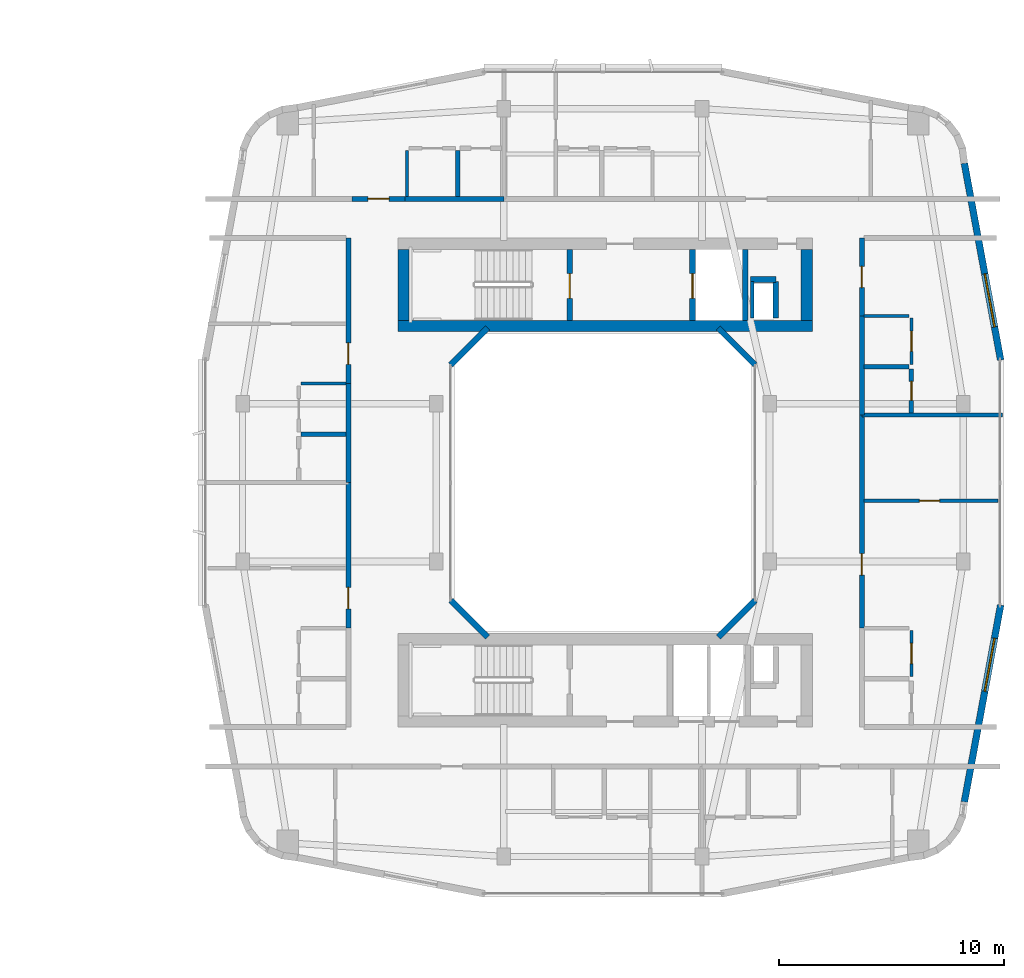
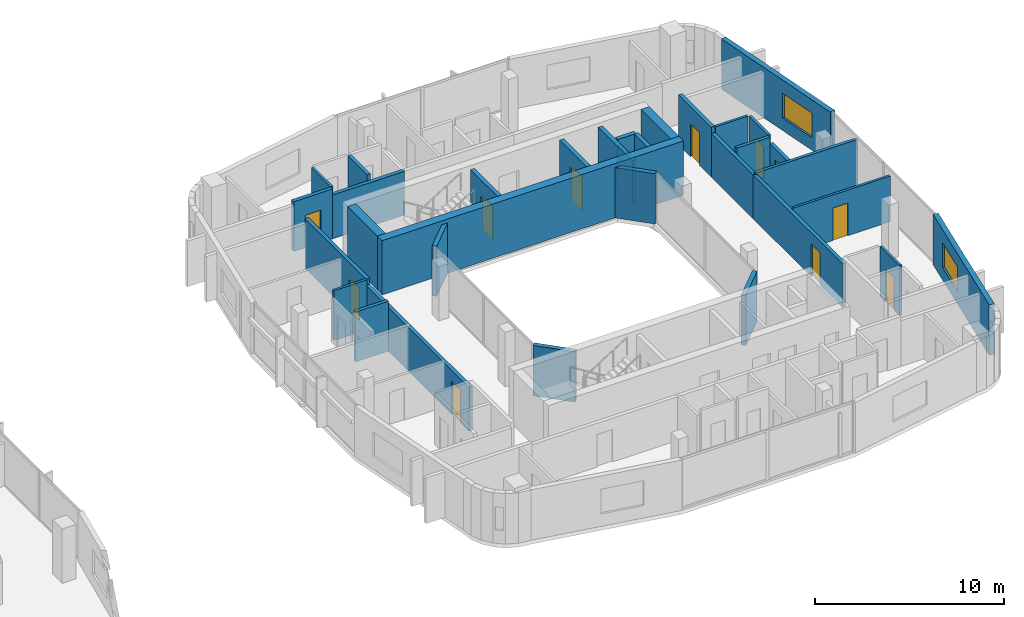
# One storey, part 18 of 25: 34 walls, 11 doors, 2 windows, 13 openings.
"""IFC4 building model written with IfcOpenShell, lengths in metres."""

from ifc_helpers import new_model, si_unit, derived_unit, direction, frame, frame_2d, origin, place, context, subcontext, project, spatial, rectangle, extrude, material, layer, layer_set, type_object, element, fill, save


model = new_model("IFC4")

# Units and contexts
model_context = context("Model", 3, precision=1e-05, world=origin(), true_north=direction((0.0, 1.0)))
body_context = subcontext(model_context, "Body", "Model", "MODEL_VIEW")
ifc_project = project(units=[si_unit("LENGTHUNIT", "METRE"), si_unit("AREAUNIT", "SQUARE_METRE"), si_unit("VOLUMEUNIT", "CUBIC_METRE"), si_unit("PLANEANGLEUNIT", "RADIAN"), si_unit("MASSUNIT", "GRAM", prefix="KILO"), derived_unit("THERMALTRANSMITTANCEUNIT", [(si_unit("POWERUNIT", "WATT"), 1), (si_unit("LENGTHUNIT", "METRE"), -2), (si_unit("THERMODYNAMICTEMPERATUREUNIT", "KELVIN"), -1)])], contexts=[model_context])

# Site, building, storey
site_placement = place(None, origin())
site = spatial("IfcSite", under=ifc_project, at=site_placement, CompositionType="ELEMENT")
building_placement = place(site_placement, origin())
building = spatial("IfcBuilding", under=site, at=building_placement, Name="Kivonza Crest Hotel", CompositionType="ELEMENT")
storey_placement = place(building_placement, frame((0.0, 0.0, 83.5)))
storey = spatial("IfcBuildingStorey", under=building, at=storey_placement, Name="L22", CompositionType="ELEMENT", Elevation=83.5)

# Walls
ifc_material_1 = material(Name="High-density acoustic masonry inter-tenancy wall", Category="masonry")
ifc_layer_1 = layer(ifc_material_1, 0.179931640625)
ifc_layer_set_1 = layer_set([ifc_layer_1], Name="High-density acoustic masonry inter-tenancy wall")
wall_type_1 = type_object("IfcWallType", Name="WL-ACOU-180", PredefinedType="SOLIDWALL", material=ifc_layer_set_1)
wall_1_placement = place(storey_placement, frame((88.5, 28.0, 0.0), z_axis=(0.0, 0.0, 1.0), x_axis=(1.0, 0.0, 0.0)))
element("IfcWall", 1, at=wall_1_placement, inside=storey, type_object=wall_type_1, Name="L22 interior partition WA-L22-T2E-DIV1", PredefinedType="SOLIDWALL", context=body_context, shape_type="SweptSolid", body=[
    extrude(rectangle(XDim=6.239990234375, YDim=0.179931640625, at=frame_2d((3.1201171875, 0.0))), origin(), (0.0, 0.0, 1.0), 2.945068359375),
])
ifc_material_2 = material(Name="Autoclaved aerated concrete blockwork", Category="masonry")
ifc_layer_2 = layer(ifc_material_2, 0.219970703125)
ifc_layer_set_2 = layer_set([ifc_layer_2], Name="Autoclaved aerated concrete blockwork")
wall_type_2 = type_object("IfcWallType", Name="WL-ACOU-220", PredefinedType="SOLIDWALL", material=ifc_layer_set_2)
wall_2_placement = place(storey_placement, frame((68.219970703125, 37.60009765625, 0.0), z_axis=(0.0, 0.0, 1.0), x_axis=(1.0, 0.0, 0.0)))
element("IfcWall", 2, at=wall_2_placement, inside=storey, type_object=wall_type_2, Name="L22 interior partition WA-L22-A01-RCORR", PredefinedType="SOLIDWALL", context=body_context, shape_type="SweptSolid", body=[
    extrude(rectangle(XDim=4.380126953125, YDim=0.219970703125, at=frame_2d((2.18994140625, 0.0))), origin(), (0.0, 0.0, 1.0), 2.824951171875),
])

# Wall, opening, door
wall_3_placement = place(storey_placement, frame((65.85009765625, 37.60009765625, 0.0), z_axis=(0.0, 0.0, 1.0), x_axis=(1.0, 0.0, 0.0)))
wall_3 = element("IfcWall", 3, at=wall_3_placement, inside=storey, type_object=wall_type_2, Name="L22 interior partition WA-L22-A01-MCORR", PredefinedType="SOLIDWALL", context=body_context, shape_type="SweptSolid", body=[
    extrude(rectangle(XDim=2.369873046875, YDim=0.219970703125, at=frame_2d((1.18505859375, 0.0))), origin(), (0.0, 0.0, 1.0), 3.219970703125),
])
opening_1_placement = place(wall_3_placement, frame((0.7099609375, 0.0, 0.0)))
opening_1 = element("IfcOpeningElement", 4, at=opening_1_placement, cuts=wall_3, Name="Opening DU-60", PredefinedType="OPENING", context=body_context, shape_type="SweptSolid", body=[
    extrude(rectangle(XDim=0.949951171875, YDim=2.10009765625, at=frame_2d((0.47509765625, 1.050048828125))), frame((0.0, 0.1201171875, 0.0), z_axis=(0.0, -1.0, 0.0), x_axis=(1.0, 0.0, 0.0)), (0.0, 0.0, 1.0), 0.239990234375),
])
ifc_material_3 = material(Name="Hardwood timber oak", Category="wood")
door_type_1 = type_object("IfcDoorType", Name="DR-UNIT-950", OperationType="NOTDEFINED", PredefinedType="DOOR", material=ifc_material_3)
door_1_placement = place(opening_1_placement, origin())
door_1 = element("IfcDoor", 5, at=door_1_placement, inside=storey, type_object=door_type_1, Name="L22 A01 apartment entrance fire door", OperationType="SINGLE_SWING_LEFT", OverallHeight=2.10009765625, OverallWidth=0.949951171875, PredefinedType="DOOR", context=body_context, shape_type="SweptSolid", body=[
    extrude(rectangle(XDim=0.949951171875, YDim=2.10009765625, at=frame_2d((0.47509765625, 1.050048828125))), frame((0.0, 0.02490234375, 0.0), z_axis=(0.0, -1.0, 0.0), x_axis=(1.0, 0.0, 0.0)), (0.0, 0.0, 1.0), 0.050048828125),
])
fill(opening_1, door_1)

wall_4_placement = place(storey_placement, frame((65.699951171875, 18.5400390625, 0.0), z_axis=(0.0, 0.0, 1.0), x_axis=(0.0, 1.0, 0.0)))
wall_4 = element("IfcWall", 6, at=wall_4_placement, inside=storey, type_object=wall_type_2, Name="L22 interior partition WA-L22-A05-MCORR", PredefinedType="SOLIDWALL", context=body_context, shape_type="SweptSolid", body=[
    extrude(rectangle(XDim=6.4599609375, YDim=0.219970703125, at=frame_2d((3.22998046875, 0.0))), origin(), (0.0, 0.0, 1.0), 2.824951171875),
])
opening_2_placement = place(wall_4_placement, frame((0.85498046875, 0.0, 0.0)))
opening_2 = element("IfcOpeningElement", 7, at=opening_2_placement, cuts=wall_4, Name="Opening DU-60", PredefinedType="OPENING", context=body_context, shape_type="SweptSolid", body=[
    extrude(rectangle(XDim=0.949951171875, YDim=2.10009765625, at=frame_2d((0.47509765625, 1.050048828125))), frame((0.0, 0.1201171875, 0.0), z_axis=(0.0, -1.0, 0.0), x_axis=(1.0, 0.0, 0.0)), (0.0, 0.0, 1.0), 0.239990234375),
])
door_2_placement = place(opening_2_placement, origin())
door_2 = element("IfcDoor", 8, at=door_2_placement, inside=storey, type_object=door_type_1, Name="L22 A05 apartment entrance fire door", OperationType="SINGLE_SWING_LEFT", OverallHeight=2.10009765625, OverallWidth=0.949951171875, PredefinedType="DOOR", context=body_context, shape_type="SweptSolid", body=[
    extrude(rectangle(XDim=0.949951171875, YDim=2.10009765625, at=frame_2d((0.47509765625, 1.050048828125))), frame((0.0, 0.02490234375, 0.0), z_axis=(0.0, -1.0, 0.0), x_axis=(1.0, 0.0, 0.0)), (0.0, 0.0, 1.0), 0.050048828125),
])
fill(opening_2, door_2)

# Wall
wall_5_placement = place(storey_placement, frame((65.699951171875, 25.0, 0.0), z_axis=(0.0, 0.0, 1.0), x_axis=(0.0, 1.0, 0.0)))
element("IfcWall", 9, at=wall_5_placement, inside=storey, type_object=wall_type_2, Name="L22 interior partition WA-L22-A06-BCORR", PredefinedType="SOLIDWALL", context=body_context, shape_type="SweptSolid", body=[
    extrude(rectangle(XDim=4.39990234375, YDim=0.219970703125, at=frame_2d((2.199951171875, 0.0))), origin(), (0.0, 0.0, 1.0), 2.824951171875),
])

# Wall, opening, door
wall_6_placement = place(storey_placement, frame((65.699951171875, 29.39990234375, 0.0), z_axis=(0.0, 0.0, 1.0), x_axis=(0.0, 1.0, 0.0)))
wall_6 = element("IfcWall", 10, at=wall_6_placement, inside=storey, type_object=wall_type_2, Name="L22 interior partition WA-L22-A06-MCORR", PredefinedType="SOLIDWALL", context=body_context, shape_type="SweptSolid", body=[
    extrude(rectangle(XDim=6.460205078125, YDim=0.219970703125, at=frame_2d((3.22998046875, 0.0))), origin(), (0.0, 0.0, 1.0), 3.219970703125),
])
opening_3_placement = place(wall_6_placement, frame((0.85498046875, 0.0, 0.0)))
opening_3 = element("IfcOpeningElement", 11, at=opening_3_placement, cuts=wall_6, Name="Opening DU-60", PredefinedType="OPENING", context=body_context, shape_type="SweptSolid", body=[
    extrude(rectangle(XDim=0.949951171875, YDim=2.10009765625, at=frame_2d((0.47509765625, 1.050048828125))), frame((0.0, 0.1201171875, 0.0), z_axis=(0.0, -1.0, 0.0), x_axis=(1.0, 0.0, 0.0)), (0.0, 0.0, 1.0), 0.239990234375),
])
door_3_placement = place(opening_3_placement, origin())
door_3 = element("IfcDoor", 12, at=door_3_placement, inside=storey, type_object=door_type_1, Name="L22 A06 apartment entrance fire door", OperationType="SINGLE_SWING_RIGHT", OverallHeight=2.10009765625, OverallWidth=0.949951171875, PredefinedType="DOOR", context=body_context, shape_type="SweptSolid", body=[
    extrude(rectangle(XDim=0.949951171875, YDim=2.10009765625, at=frame_2d((0.47509765625, 1.050048828125))), frame((0.0, 0.02490234375, 0.0), z_axis=(0.0, -1.0, 0.0), x_axis=(1.0, 0.0, 0.0)), (0.0, 0.0, 1.0), 0.050048828125),
])
fill(opening_3, door_3)

wall_7_placement = place(storey_placement, frame((88.5, 18.5400390625, 0.0), z_axis=(0.0, 0.0, 1.0), x_axis=(0.0, 1.0, 0.0)))
wall_7 = element("IfcWall", 13, at=wall_7_placement, inside=storey, type_object=wall_type_2, Name="L22 interior partition WA-L22-A07-MCORR", PredefinedType="SOLIDWALL", context=body_context, shape_type="SweptSolid", body=[
    extrude(rectangle(XDim=9.4599609375, YDim=0.219970703125, at=frame_2d((4.72998046875, 0.0))), origin(), (0.0, 0.0, 1.0), 2.824951171875),
])
opening_4_placement = place(wall_7_placement, frame((2.35498046875, 0.0, 0.0)))
opening_4 = element("IfcOpeningElement", 14, at=opening_4_placement, cuts=wall_7, Name="Opening DU-60", PredefinedType="OPENING", context=body_context, shape_type="SweptSolid", body=[
    extrude(rectangle(XDim=0.949951171875, YDim=2.10009765625, at=frame_2d((0.47509765625, 1.050048828125))), frame((0.0, 0.1201171875, 0.0), z_axis=(0.0, -1.0, 0.0), x_axis=(1.0, 0.0, 0.0)), (0.0, 0.0, 1.0), 0.239990234375),
])
door_4_placement = place(opening_4_placement, frame((0.949951171875, 0.0, 0.0), z_axis=(0.0, 0.0, 1.0), x_axis=(-1.0, 0.0, 0.0)))
door_4 = element("IfcDoor", 15, at=door_4_placement, inside=storey, type_object=door_type_1, Name="L22 A07 apartment entrance fire door", OperationType="SINGLE_SWING_LEFT", OverallHeight=2.10009765625, OverallWidth=0.949951171875, PredefinedType="DOOR", context=body_context, shape_type="SweptSolid", body=[
    extrude(rectangle(XDim=0.949951171875, YDim=2.10009765625, at=frame_2d((0.47509765625, 1.050048828125))), frame((0.0, 0.02490234375, 0.0), z_axis=(0.0, -1.0, 0.0), x_axis=(1.0, 0.0, 0.0)), (0.0, 0.0, 1.0), 0.050048828125),
])
fill(opening_4, door_4)

# Wall
wall_8_placement = place(storey_placement, frame((88.5, 28.0, 0.0), z_axis=(0.0, 0.0, 1.0), x_axis=(0.0, 1.0, 0.0)))
element("IfcWall", 16, at=wall_8_placement, inside=storey, type_object=wall_type_2, Name="L22 interior partition WA-L22-A08-BCORR", PredefinedType="SOLIDWALL", context=body_context, shape_type="SweptSolid", body=[
    extrude(rectangle(XDim=4.39990234375, YDim=0.219970703125, at=frame_2d((2.199951171875, 0.0))), origin(), (0.0, 0.0, 1.0), 2.824951171875),
])

# Wall, opening, door
wall_9_placement = place(storey_placement, frame((88.5, 32.39990234375, 0.0), z_axis=(0.0, 0.0, 1.0), x_axis=(0.0, 1.0, 0.0)))
wall_9 = element("IfcWall", 17, at=wall_9_placement, inside=storey, type_object=wall_type_2, Name="L22 interior partition WA-L22-A08-MCORR", PredefinedType="SOLIDWALL", context=body_context, shape_type="SweptSolid", body=[
    extrude(rectangle(XDim=3.460205078125, YDim=0.219970703125, at=frame_2d((1.72998046875, 0.0))), origin(), (0.0, 0.0, 1.0), 3.219970703125),
])
opening_5_placement = place(wall_9_placement, frame((1.2548828125, 0.0, 0.0)))
opening_5 = element("IfcOpeningElement", 18, at=opening_5_placement, cuts=wall_9, Name="Opening DU-60", PredefinedType="OPENING", context=body_context, shape_type="SweptSolid", body=[
    extrude(rectangle(XDim=0.949951171875, YDim=2.10009765625, at=frame_2d((0.47509765625, 1.050048828125))), frame((0.0, 0.1201171875, 0.0), z_axis=(0.0, -1.0, 0.0), x_axis=(1.0, 0.0, 0.0)), (0.0, 0.0, 1.0), 0.239990234375),
])
door_5_placement = place(opening_5_placement, frame((0.949951171875, 0.0, 0.0), z_axis=(0.0, 0.0, 1.0), x_axis=(-1.0, 0.0, 0.0)))
door_5 = element("IfcDoor", 19, at=door_5_placement, inside=storey, type_object=door_type_1, Name="L22 A08 apartment entrance fire door", OperationType="SINGLE_SWING_RIGHT", OverallHeight=2.10009765625, OverallWidth=0.949951171875, PredefinedType="DOOR", context=body_context, shape_type="SweptSolid", body=[
    extrude(rectangle(XDim=0.949951171875, YDim=2.10009765625, at=frame_2d((0.47509765625, 1.050048828125))), frame((0.0, 0.02490234375, 0.0), z_axis=(0.0, -1.0, 0.0), x_axis=(1.0, 0.0, 0.0)), (0.0, 0.0, 1.0), 0.050048828125),
])
fill(opening_5, door_5)

# Walls
ifc_material_4 = material(Name="Concrete C60/75", Category="concrete")
ifc_layer_3 = layer(ifc_material_4, 0.5)
ifc_layer_set_3 = layer_set([ifc_layer_3], Name="Concrete C60/75")
wall_type_3 = type_object("IfcWallType", Name="WL-CORE-500", PredefinedType="SHEAR", material=ifc_layer_set_3)
wall_10_placement = place(storey_placement, frame((67.89990234375, 31.949951171875, 0.0), z_axis=(0.0, 0.0, 1.0), x_axis=(1.0, 0.0, 0.0)))
element("IfcWall", 20, at=wall_10_placement, inside=storey, type_object=wall_type_3, Name="Core wall T2-N South L22", PredefinedType="SHEAR", context=body_context, shape_type="SweptSolid", body=[
    extrude(rectangle(XDim=18.400146484375, YDim=0.5, at=frame_2d((9.2001953125, 0.0))), origin(), (0.0, 0.0, 1.0), 3.5),
])
for number, where, z_axis, x_axis, name in (
    (21, (68.14990234375, 32.199951171875, 0.0), (0.0, 0.0, 1.0), (0.0, 1.0, 0.0), "Core wall T2-N West L22"),
    (22, (86.050048828125, 32.199951171875, 0.0), (0.0, 0.0, 1.0), (0.0, 1.0, 0.0), "Core wall T2-N East L22"),
):
    element("IfcWall", number, at=place(storey_placement, frame(where, z_axis=z_axis, x_axis=x_axis)), inside=storey, type_object=wall_type_3, Name=name, PredefinedType="SHEAR", context=body_context, shape_type="SweptSolid", body=[
        extrude(rectangle(XDim=3.16015625, YDim=0.5, at=frame_2d((1.580078125, 0.0))), origin(), (0.0, 0.0, 1.0), 3.5),
    ])
ifc_material_5 = material(Name="Precast concrete C40/50", Category="concrete")
ifc_layer_4 = layer(ifc_material_5, 0.260009765625)
ifc_layer_set_4 = layer_set([ifc_layer_4], Name="Precast concrete C40/50")
wall_type_4 = type_object("IfcWallType", Name="WL-EXT-260", PredefinedType="STANDARD", material=ifc_layer_set_4)
for number, where, z_axis, x_axis, name in (
    (23, (82.1220703125, 18.137939453125, 0.0), (0.0, 0.0, 1.0), (0.707106781187, 0.707106781187, 0.0), "L22 T2 light-well exterior wall 2"),
    (24, (83.756103515625, 30.22802734375, 0.0), (0.0, 0.0, 1.0), (-0.707106781187, 0.707106781187, 0.0), "L22 T2 light-well exterior wall 4"),
    (25, (71.8779296875, 31.862060546875, 0.0), (0.0, 0.0, 1.0), (-0.707106781187, -0.707106781187, 0.0), "L22 T2 light-well exterior wall 6"),
    (26, (70.243896484375, 19.77197265625, 0.0), (0.0, 0.0, 1.0), (0.707106781187, -0.707106781187, 0.0), "L22 T2 light-well exterior wall 8"),
):
    element("IfcWall", number, at=place(storey_placement, frame(where, z_axis=z_axis, x_axis=x_axis)), inside=storey, type_object=wall_type_4, Name=name, PredefinedType="STANDARD", context=body_context, shape_type="SweptSolid", body=[
        extrude(rectangle(XDim=2.310791015625, YDim=0.260009765625, at=frame_2d((1.1552734375, 0.0))), origin(), (0.0, 0.0, 1.0), 3.25),
    ])

# Wall, opening, window
ifc_layer_5 = layer(ifc_material_5, 0.300048828125)
ifc_layer_set_5 = layer_set([ifc_layer_5], Name="Precast concrete C40/50")
wall_type_5 = type_object("IfcWallType", Name="WL-EXT-300", PredefinedType="STANDARD", material=ifc_layer_set_5)
wall_11_placement = place(storey_placement, frame((93.051025390625, 10.819091796875, 0.0), z_axis=(0.0, 0.0, 1.0), x_axis=(0.181241420611, 0.983438634311, 0.0)))
wall_11 = element("IfcWall", 27, at=wall_11_placement, inside=storey, type_object=wall_type_5, Name="L22 T2 exterior insulated wall 16", PredefinedType="STANDARD", context=body_context, shape_type="SweptSolid", body=[
    extrude(rectangle(XDim=8.88916015625, YDim=0.300048828125, at=frame_2d((4.444580078125, 0.0))), origin(), (0.0, 0.0, 1.0), 3.25),
])
opening_6_placement = place(wall_11_placement, frame((4.992919921875, 0.0, 0.800048828125)))
opening_6 = element("IfcOpeningElement", 28, at=opening_6_placement, cuts=wall_11, Name="Opening WN-05", PredefinedType="OPENING", context=body_context, shape_type="SweptSolid", body=[
    extrude(rectangle(XDim=2.39990234375, YDim=1.60009765625, at=frame_2d((1.199951171875, 0.800048828125))), frame((0.0, 0.16015625, 0.0), z_axis=(0.0, -1.0, 0.0), x_axis=(1.0, 0.0, 0.0)), (0.0, 0.0, 1.0), 0.320068359375),
])
ifc_material_6 = material(Name="Thermally broken bronze aluminium and low-E double glazing", Category="aluminium")
window_type = type_object("IfcWindowType", Name="WN-240x160", PartitioningType="TRIPLE_PANEL_VERTICAL", PredefinedType="WINDOW", material=ifc_material_6)
window_1_placement = place(opening_6_placement, origin())
window_1 = element("IfcWindow", 29, at=window_1_placement, inside=storey, type_object=window_type, Name="L22 T2 facade window 16", OverallHeight=1.60009765625, OverallWidth=2.39990234375, PartitioningType="SINGLE_PANEL", PredefinedType="WINDOW", context=body_context, shape_type="SweptSolid", body=[
    extrude(rectangle(XDim=2.39990234375, YDim=1.60009765625, at=frame_2d((1.199951171875, 0.800048828125))), frame((0.0, 0.030029296875, 0.0), z_axis=(0.0, -1.0, 0.0), x_axis=(1.0, 0.0, 0.0)), (0.0, 0.0, 1.0), 0.06005859375),
])
fill(opening_6, window_1)

wall_12_placement = place(storey_placement, frame((94.662109375, 30.43896484375, 0.0), z_axis=(0.0, 0.0, 1.0), x_axis=(-0.181241420611, 0.983438634311, 0.0)))
wall_12 = element("IfcWall", 30, at=wall_12_placement, inside=storey, type_object=wall_type_5, Name="L22 T2 exterior insulated wall 18", PredefinedType="STANDARD", context=body_context, shape_type="SweptSolid", body=[
    extrude(rectangle(XDim=8.88916015625, YDim=0.300048828125, at=frame_2d((4.444580078125, 0.0))), origin(), (0.0, 0.0, 1.0), 3.25),
])
opening_7_placement = place(wall_12_placement, frame((1.4970703125, 0.0, 0.800048828125)))
opening_7 = element("IfcOpeningElement", 31, at=opening_7_placement, cuts=wall_12, Name="Opening WN-05", PredefinedType="OPENING", context=body_context, shape_type="SweptSolid", body=[
    extrude(rectangle(XDim=2.39990234375, YDim=1.60009765625, at=frame_2d((1.199951171875, 0.800048828125))), frame((0.0, 0.16015625, 0.0), z_axis=(0.0, -1.0, 0.0), x_axis=(1.0, 0.0, 0.0)), (0.0, 0.0, 1.0), 0.320068359375),
])
window_2_placement = place(opening_7_placement, origin())
window_2 = element("IfcWindow", 32, at=window_2_placement, inside=storey, type_object=window_type, Name="L22 T2 facade window 18", OverallHeight=1.60009765625, OverallWidth=2.39990234375, PartitioningType="SINGLE_PANEL", PredefinedType="WINDOW", context=body_context, shape_type="SweptSolid", body=[
    extrude(rectangle(XDim=2.39990234375, YDim=1.60009765625, at=frame_2d((1.199951171875, 0.800048828125))), frame((0.0, 0.030029296875, 0.0), z_axis=(0.0, -1.0, 0.0), x_axis=(1.0, 0.0, 0.0)), (0.0, 0.0, 1.0), 0.06005859375),
])
fill(opening_7, window_2)

# Walls
ifc_material_7 = material(Name="Concrete blockwork fire-compartment wall", Category="masonry")
ifc_layer_6 = layer(ifc_material_7, 0.25)
ifc_layer_set_6 = layer_set([ifc_layer_6], Name="Concrete blockwork fire-compartment wall")
wall_type_6 = type_object("IfcWallType", Name="WL-FIRE-250", PredefinedType="SOLIDWALL", material=ifc_layer_set_6)
wall_13_placement = place(storey_placement, frame((84.679931640625, 32.300048828125, 0.0), z_axis=(0.0, 0.0, 1.0), x_axis=(0.0, 1.0, 0.0)))
element("IfcWall", 33, at=wall_13_placement, inside=storey, type_object=wall_type_6, Name="L22 interior partition WA-L22-T2-N-MEPR-E", PredefinedType="SOLIDWALL", context=body_context, shape_type="SweptSolid", body=[
    extrude(rectangle(XDim=1.619873046875, YDim=0.25, at=frame_2d((0.81005859375, 0.0))), origin(), (0.0, 0.0, 1.0), 3.219970703125),
])
wall_14_placement = place(storey_placement, frame((83.550048828125, 34.02001953125, 0.0), z_axis=(0.0, 0.0, 1.0), x_axis=(1.0, 0.0, 0.0)))
element("IfcWall", 34, at=wall_14_placement, inside=storey, type_object=wall_type_6, Name="L22 interior partition WA-L22-T2-N-MEPR-H", PredefinedType="SOLIDWALL", context=body_context, shape_type="SweptSolid", body=[
    extrude(rectangle(XDim=1.1298828125, YDim=0.25, at=frame_2d((0.56494140625, 0.0))), origin(), (0.0, 0.0, 1.0), 3.219970703125),
])
ifc_material_8 = material(Name="Twin-stud acoustic gypsum board partition", Category="gypsum")
ifc_layer_7 = layer(ifc_material_8, 0.14990234375)
ifc_layer_set_7 = layer_set([ifc_layer_7], Name="Twin-stud acoustic gypsum board partition")
wall_type_7 = type_object("IfcWallType", Name="WL-PART-150", PredefinedType="PARTITIONING", material=ifc_layer_set_7)
wall_15_placement = place(storey_placement, frame((83.6298828125, 32.300048828125, 0.0), z_axis=(0.0, 0.0, 1.0), x_axis=(0.0, 1.0, 0.0)))
element("IfcWall", 35, at=wall_15_placement, inside=storey, type_object=wall_type_7, Name="L22 interior partition WA-L22-T2-N-MEPR-W", PredefinedType="PARTITIONING", context=body_context, shape_type="SweptSolid", body=[
    extrude(rectangle(XDim=1.619873046875, YDim=0.14990234375, at=frame_2d((0.81005859375, 0.0))), origin(), (0.0, 0.0, 1.0), 2.824951171875),
])
wall_16_placement = place(storey_placement, frame((68.300048828125, 37.699951171875, 0.0), z_axis=(0.0, 0.0, 1.0), x_axis=(0.0, 1.0, 0.0)))
element("IfcWall", 36, at=wall_16_placement, inside=storey, type_object=wall_type_7, Name="L22 interior partition WP-L22-A01-KF", PredefinedType="PARTITIONING", context=body_context, shape_type="SweptSolid", body=[
    extrude(rectangle(XDim=2.050048828125, YDim=0.14990234375, at=frame_2d((1.02490234375, 0.0))), origin(), (0.0, 0.0, 1.0), 3.219970703125),
])
wall_17_placement = place(storey_placement, frame((63.60009765625, 29.39990234375, 0.0), z_axis=(0.0, 0.0, 1.0), x_axis=(1.0, 0.0, 0.0)))
element("IfcWall", 37, at=wall_17_placement, inside=storey, type_object=wall_type_7, Name="L22 interior partition WP-L22-A06-KF", PredefinedType="PARTITIONING", context=body_context, shape_type="SweptSolid", body=[
    extrude(rectangle(XDim=2.0, YDim=0.14990234375, at=frame_2d((1.0, 0.0))), origin(), (0.0, 0.0, 1.0), 3.219970703125),
])

# Wall, opening, door
wall_18_placement = place(storey_placement, frame((88.60009765625, 24.199951171875, 0.0), z_axis=(0.0, 0.0, 1.0), x_axis=(1.0, 0.0, 0.0)))
wall_18 = element("IfcWall", 38, at=wall_18_placement, inside=storey, type_object=wall_type_7, Name="L22 interior partition WP-L22-A07-BD1", PredefinedType="PARTITIONING", context=body_context, shape_type="SweptSolid", body=[
    extrude(rectangle(XDim=5.93994140625, YDim=0.14990234375, at=frame_2d((2.969970703125, 0.0))), origin(), (0.0, 0.0, 1.0), 2.945068359375),
])
opening_8_placement = place(wall_18_placement, frame((2.449951171875, 0.0, 0.0)))
opening_8 = element("IfcOpeningElement", 39, at=opening_8_placement, cuts=wall_18, Name="Opening DI-90", PredefinedType="OPENING", context=body_context, shape_type="SweptSolid", body=[
    extrude(rectangle(XDim=0.89990234375, YDim=2.10009765625, at=frame_2d((0.449951171875, 1.050048828125))), frame((0.0, 0.0849609375, 0.0), z_axis=(0.0, -1.0, 0.0), x_axis=(1.0, 0.0, 0.0)), (0.0, 0.0, 1.0), 0.169921875),
])
door_type_2 = type_object("IfcDoorType", Name="DR-INT-900", OperationType="NOTDEFINED", PredefinedType="DOOR", material=ifc_material_3)
door_6_placement = place(opening_8_placement, origin())
door_6 = element("IfcDoor", 40, at=door_6_placement, inside=storey, type_object=door_type_2, Name="L22 A07 bedroom door", OperationType="SINGLE_SWING_RIGHT", OverallHeight=2.10009765625, OverallWidth=0.89990234375, PredefinedType="DOOR", context=body_context, shape_type="SweptSolid", body=[
    extrude(rectangle(XDim=0.89990234375, YDim=2.10009765625, at=frame_2d((0.449951171875, 1.050048828125))), frame((0.0, 0.02490234375, 0.0), z_axis=(0.0, -1.0, 0.0), x_axis=(1.0, 0.0, 0.0)), (0.0, 0.0, 1.0), 0.050048828125),
])
fill(opening_8, door_6)

wall_19_placement = place(storey_placement, frame((90.699951171875, 16.389892578125, 0.0), z_axis=(0.0, 0.0, 1.0), x_axis=(0.0, 1.0, 0.0)))
wall_19 = element("IfcWall", 41, at=wall_19_placement, inside=storey, type_object=wall_type_7, Name="L22 interior partition WP-L22-A07-KSVC", PredefinedType="PARTITIONING", context=body_context, shape_type="SweptSolid", body=[
    extrude(rectangle(XDim=2.050048828125, YDim=0.14990234375, at=frame_2d((1.02490234375, 0.0))), origin(), (0.0, 0.0, 1.0), 3.219970703125),
])
opening_9_placement = place(wall_19_placement, frame((0.574951171875, 0.0, 0.0)))
opening_9 = element("IfcOpeningElement", 42, at=opening_9_placement, cuts=wall_19, Name="Opening DI-90", PredefinedType="OPENING", context=body_context, shape_type="SweptSolid", body=[
    extrude(rectangle(XDim=0.89990234375, YDim=2.10009765625, at=frame_2d((0.449951171875, 1.050048828125))), frame((0.0, 0.0849609375, 0.0), z_axis=(0.0, -1.0, 0.0), x_axis=(1.0, 0.0, 0.0)), (0.0, 0.0, 1.0), 0.169921875),
])
door_7_placement = place(opening_9_placement, frame((0.89990234375, 0.0, 0.0), z_axis=(0.0, 0.0, 1.0), x_axis=(-1.0, 0.0, 0.0)))
door_7 = element("IfcDoor", 43, at=door_7_placement, inside=storey, type_object=door_type_2, Name="L22 A07 apartment kitchen door", OperationType="SINGLE_SWING_LEFT", OverallHeight=2.10009765625, OverallWidth=0.89990234375, PredefinedType="DOOR", context=body_context, shape_type="SweptSolid", body=[
    extrude(rectangle(XDim=0.89990234375, YDim=2.10009765625, at=frame_2d((0.449951171875, 1.050048828125))), frame((0.0, 0.02490234375, 0.0), z_axis=(0.0, -1.0, 0.0), x_axis=(1.0, 0.0, 0.0)), (0.0, 0.0, 1.0), 0.050048828125),
])
fill(opening_9, door_7)

# Wall
wall_20_placement = place(storey_placement, frame((88.60009765625, 32.39990234375, 0.0), z_axis=(0.0, 0.0, 1.0), x_axis=(1.0, 0.0, 0.0)))
element("IfcWall", 44, at=wall_20_placement, inside=storey, type_object=wall_type_7, Name="L22 interior partition WP-L22-A08-KF", PredefinedType="PARTITIONING", context=body_context, shape_type="SweptSolid", body=[
    extrude(rectangle(XDim=2.0, YDim=0.14990234375, at=frame_2d((1.0, 0.0))), origin(), (0.0, 0.0, 1.0), 3.219970703125),
])

# Wall, opening, door
wall_21_placement = place(storey_placement, frame((90.699951171875, 30.25, 0.0), z_axis=(0.0, 0.0, 1.0), x_axis=(0.0, 1.0, 0.0)))
wall_21 = element("IfcWall", 45, at=wall_21_placement, inside=storey, type_object=wall_type_7, Name="L22 interior partition WP-L22-A08-KSVC", PredefinedType="PARTITIONING", context=body_context, shape_type="SweptSolid", body=[
    extrude(rectangle(XDim=2.050048828125, YDim=0.14990234375, at=frame_2d((1.02490234375, 0.0))), origin(), (0.0, 0.0, 1.0), 3.219970703125),
])
opening_10_placement = place(wall_21_placement, frame((0.574951171875, 0.0, 0.0)))
opening_10 = element("IfcOpeningElement", 46, at=opening_10_placement, cuts=wall_21, Name="Opening DI-90", PredefinedType="OPENING", context=body_context, shape_type="SweptSolid", body=[
    extrude(rectangle(XDim=0.89990234375, YDim=2.10009765625, at=frame_2d((0.449951171875, 1.050048828125))), frame((0.0, 0.0849609375, 0.0), z_axis=(0.0, -1.0, 0.0), x_axis=(1.0, 0.0, 0.0)), (0.0, 0.0, 1.0), 0.169921875),
])
door_8_placement = place(opening_10_placement, frame((0.89990234375, 0.0, 0.0), z_axis=(0.0, 0.0, 1.0), x_axis=(-1.0, 0.0, 0.0)))
door_8 = element("IfcDoor", 47, at=door_8_placement, inside=storey, type_object=door_type_2, Name="L22 A08 apartment kitchen door", OperationType="SINGLE_SWING_RIGHT", OverallHeight=2.10009765625, OverallWidth=0.89990234375, PredefinedType="DOOR", context=body_context, shape_type="SweptSolid", body=[
    extrude(rectangle(XDim=0.89990234375, YDim=2.10009765625, at=frame_2d((0.449951171875, 1.050048828125))), frame((0.0, 0.02490234375, 0.0), z_axis=(0.0, -1.0, 0.0), x_axis=(1.0, 0.0, 0.0)), (0.0, 0.0, 1.0), 0.050048828125),
])
fill(opening_10, door_8)

# Walls
ifc_material_9 = material(Name="Moisture-resistant plumbing chase partition wall", Category="gypsum")
ifc_layer_8 = layer(ifc_material_9, 0.199951171875)
ifc_layer_set_8 = layer_set([ifc_layer_8], Name="Moisture-resistant plumbing chase partition wall")
wall_type_8 = type_object("IfcWallType", Name="WL-PLUMB-200", PredefinedType="PLUMBINGWALL", material=ifc_layer_set_8)
wall_22_placement = place(storey_placement, frame((70.550048828125, 37.699951171875, 0.0), z_axis=(0.0, 0.0, 1.0), x_axis=(0.0, 1.0, 0.0)))
element("IfcWall", 48, at=wall_22_placement, inside=storey, type_object=wall_type_8, Name="L22 interior partition WW-L22-A01-BK", PredefinedType="PLUMBINGWALL", context=body_context, shape_type="SweptSolid", body=[
    extrude(rectangle(XDim=2.050048828125, YDim=0.199951171875, at=frame_2d((1.02490234375, 0.0))), origin(), (0.0, 0.0, 1.0), 3.219970703125),
])
for number, where, z_axis, x_axis, name in (
    (49, (63.60009765625, 27.14990234375, 0.0), (0.0, 0.0, 1.0), (1.0, 0.0, 0.0), "L22 interior partition WW-L22-A06-BK"),
    (50, (88.60009765625, 30.14990234375, 0.0), (0.0, 0.0, 1.0), (1.0, 0.0, 0.0), "L22 interior partition WW-L22-A08-BK"),
):
    element("IfcWall", number, at=place(storey_placement, frame(where, z_axis=z_axis, x_axis=x_axis)), inside=storey, type_object=wall_type_8, Name=name, PredefinedType="PLUMBINGWALL", context=body_context, shape_type="SweptSolid", body=[
        extrude(rectangle(XDim=2.0, YDim=0.199951171875, at=frame_2d((1.0, 0.0))), origin(), (0.0, 0.0, 1.0), 3.219970703125),
    ])

# Wall, opening, door
wall_23_placement = place(storey_placement, frame((90.699951171875, 28.10009765625, 0.0), z_axis=(0.0, 0.0, 1.0), x_axis=(0.0, 1.0, 0.0)))
wall_23 = element("IfcWall", 51, at=wall_23_placement, inside=storey, type_object=wall_type_8, Name="L22 interior partition WW-L22-A08-BSVC", PredefinedType="PLUMBINGWALL", context=body_context, shape_type="SweptSolid", body=[
    extrude(rectangle(XDim=1.949951171875, YDim=0.199951171875, at=frame_2d((0.97509765625, 0.0))), origin(), (0.0, 0.0, 1.0), 2.824951171875),
])
opening_11_placement = place(wall_23_placement, frame((0.550048828125, 0.0, 0.0)))
opening_11 = element("IfcOpeningElement", 52, at=opening_11_placement, cuts=wall_23, Name="Opening DI-85", PredefinedType="OPENING", context=body_context, shape_type="SweptSolid", body=[
    extrude(rectangle(XDim=0.85009765625, YDim=2.10009765625, at=frame_2d((0.425048828125, 1.050048828125))), frame((0.0, 0.10986328125, 0.0), z_axis=(0.0, -1.0, 0.0), x_axis=(1.0, 0.0, 0.0)), (0.0, 0.0, 1.0), 0.219970703125),
])
door_type_3 = type_object("IfcDoorType", Name="DR-INT-850", OperationType="NOTDEFINED", PredefinedType="DOOR", material=ifc_material_3)
door_9_placement = place(opening_11_placement, frame((0.85009765625, 0.0, 0.0), z_axis=(0.0, 0.0, 1.0), x_axis=(-1.0, 0.0, 0.0)))
door_9 = element("IfcDoor", 53, at=door_9_placement, inside=storey, type_object=door_type_3, Name="L22 A08 apartment bathroom door", OperationType="SINGLE_SWING_LEFT", OverallHeight=2.10009765625, OverallWidth=0.85009765625, PredefinedType="DOOR", context=body_context, shape_type="SweptSolid", body=[
    extrude(rectangle(XDim=0.85009765625, YDim=2.10009765625, at=frame_2d((0.425048828125, 1.050048828125))), frame((0.0, 0.02490234375, 0.0), z_axis=(0.0, -1.0, 0.0), x_axis=(1.0, 0.0, 0.0)), (0.0, 0.0, 1.0), 0.050048828125),
])
fill(opening_11, door_9)

ifc_material_10 = material(Name="Concrete C50/60", Category="concrete")
ifc_layer_9 = layer(ifc_material_10, 0.25)
ifc_layer_set_9 = layer_set([ifc_layer_9], Name="Concrete C50/60")
wall_type_9 = type_object("IfcWallType", Name="WL-SHAFT-250", PredefinedType="STANDARD", material=ifc_layer_set_9)
wall_24_placement = place(storey_placement, frame((75.52490234375, 32.199951171875, 0.0), z_axis=(0.0, 0.0, 1.0), x_axis=(0.0, 1.0, 0.0)))
wall_24 = element("IfcWall", 54, at=wall_24_placement, inside=storey, type_object=wall_type_9, Name="Core shaft wall T2-N STAIR L22", PredefinedType="STANDARD", context=body_context, shape_type="SweptSolid", body=[
    extrude(rectangle(XDim=3.16015625, YDim=0.25, at=frame_2d((1.580078125, 0.0))), origin(), (0.0, 0.0, 1.0), 3.25),
])
opening_12_placement = place(wall_24_placement, frame((0.97998046875, 0.0, 0.0)))
opening_12 = element("IfcOpeningElement", 55, at=opening_12_placement, cuts=wall_24, Name="Opening DF-120", PredefinedType="OPENING", context=body_context, shape_type="SweptSolid", body=[
    extrude(rectangle(XDim=1.10009765625, YDim=2.14990234375, at=frame_2d((0.550048828125, 1.074951171875))), frame((0.0, 0.135009765625, 0.0), z_axis=(0.0, -1.0, 0.0), x_axis=(1.0, 0.0, 0.0)), (0.0, 0.0, 1.0), 0.27001953125),
])
ifc_material_11 = material(Name="Galvanised steel", Category="steel")
door_type_4 = type_object("IfcDoorType", Name="DR-FD120-1100", OperationType="NOTDEFINED", PredefinedType="DOOR", material=ifc_material_11)
door_10_placement = place(opening_12_placement, frame((1.10009765625, 0.0, 0.0), z_axis=(0.0, 0.0, 1.0), x_axis=(-1.0, 0.0, 0.0)))
door_10 = element("IfcDoor", 56, at=door_10_placement, inside=storey, type_object=door_type_4, Name="L22 T2-N stair fire door", OperationType="SINGLE_SWING_LEFT", OverallHeight=2.14990234375, OverallWidth=1.10009765625, PredefinedType="DOOR", context=body_context, shape_type="SweptSolid", body=[
    extrude(rectangle(XDim=1.10009765625, YDim=2.14990234375, at=frame_2d((0.550048828125, 1.074951171875))), frame((0.0, 0.02490234375, 0.0), z_axis=(0.0, -1.0, 0.0), x_axis=(1.0, 0.0, 0.0)), (0.0, 0.0, 1.0), 0.050048828125),
])
fill(opening_12, door_10)

wall_25_placement = place(storey_placement, frame((80.97509765625, 32.199951171875, 0.0), z_axis=(0.0, 0.0, 1.0), x_axis=(0.0, 1.0, 0.0)))
wall_25 = element("IfcWall", 57, at=wall_25_placement, inside=storey, type_object=wall_type_9, Name="Core shaft wall T2-N FFL-W L22", PredefinedType="STANDARD", context=body_context, shape_type="SweptSolid", body=[
    extrude(rectangle(XDim=3.16015625, YDim=0.25, at=frame_2d((1.580078125, 0.0))), origin(), (0.0, 0.0, 1.0), 3.25),
])
opening_13_placement = place(wall_25_placement, frame((0.97998046875, 0.0, 0.0)))
opening_13 = element("IfcOpeningElement", 58, at=opening_13_placement, cuts=wall_25, Name="Opening LD-120", PredefinedType="OPENING", context=body_context, shape_type="SweptSolid", body=[
    extrude(rectangle(XDim=1.10009765625, YDim=2.14990234375, at=frame_2d((0.550048828125, 1.074951171875))), frame((0.0, 0.135009765625, 0.0), z_axis=(0.0, -1.0, 0.0), x_axis=(1.0, 0.0, 0.0)), (0.0, 0.0, 1.0), 0.27001953125),
])
ifc_material_12 = material(Name="Stainless steel", Category="steel")
door_type_5 = type_object("IfcDoorType", Name="DR-LD120-1100", OperationType="NOTDEFINED", PredefinedType="DOOR", material=ifc_material_12)
door_11_placement = place(opening_13_placement, origin())
door_11 = element("IfcDoor", 59, at=door_11_placement, inside=storey, type_object=door_type_5, Name="L22 FFL-T2 firefighting lift sliding landing door", OperationType="DOUBLE_DOOR_SLIDING", OverallHeight=2.14990234375, OverallWidth=1.10009765625, PredefinedType="DOOR", context=body_context, shape_type="SweptSolid", body=[
    extrude(rectangle(XDim=1.10009765625, YDim=2.14990234375, at=frame_2d((0.550048828125, 1.074951171875))), frame((0.0, 0.02490234375, 0.0), z_axis=(0.0, -1.0, 0.0), x_axis=(1.0, 0.0, 0.0)), (0.0, 0.0, 1.0), 0.050048828125),
])
fill(opening_13, door_11)

# Wall
wall_26_placement = place(storey_placement, frame((83.324951171875, 32.199951171875, 0.0), z_axis=(0.0, 0.0, 1.0), x_axis=(0.0, 1.0, 0.0)))
element("IfcWall", 60, at=wall_26_placement, inside=storey, type_object=wall_type_9, Name="Core shaft wall T2-N FFL-E L22", PredefinedType="STANDARD", context=body_context, shape_type="SweptSolid", body=[
    extrude(rectangle(XDim=3.16015625, YDim=0.25, at=frame_2d((1.580078125, 0.0))), origin(), (0.0, 0.0, 1.0), 3.25),
])

save(model, "model.ifc")
